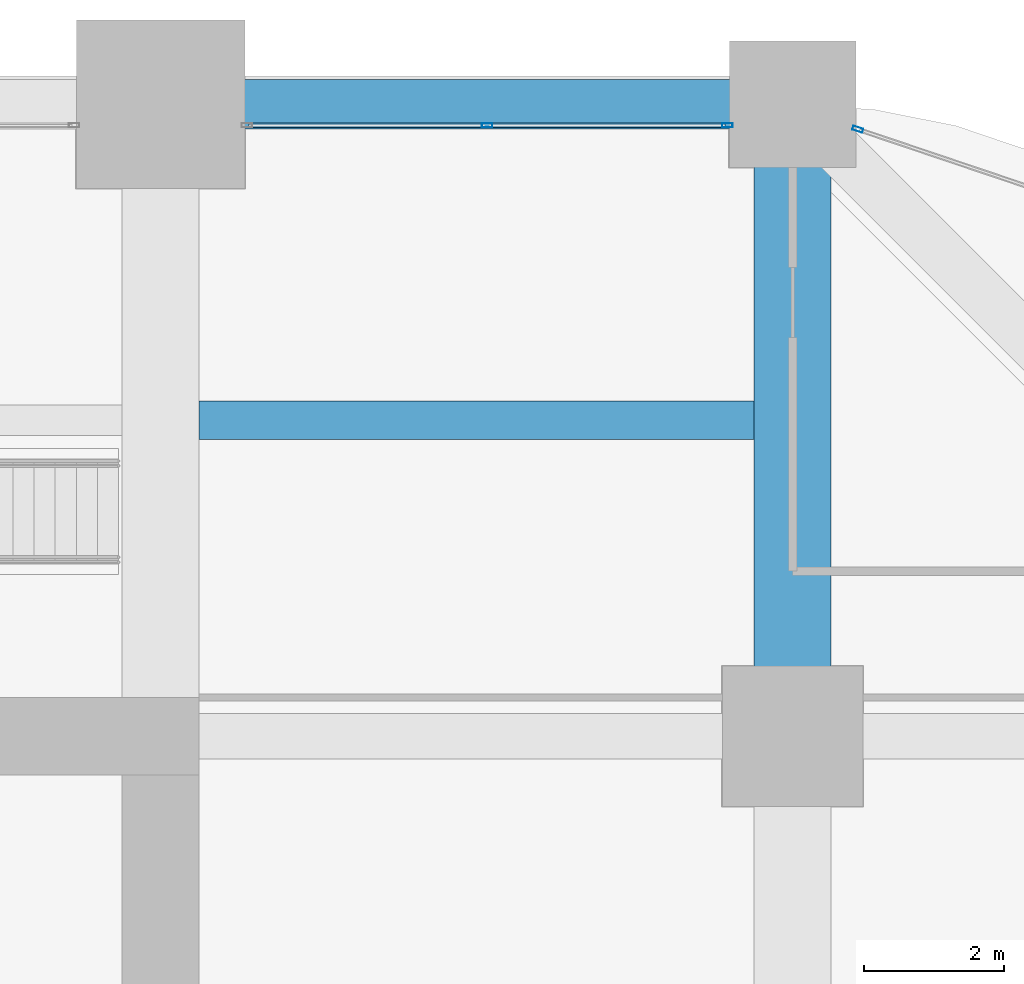
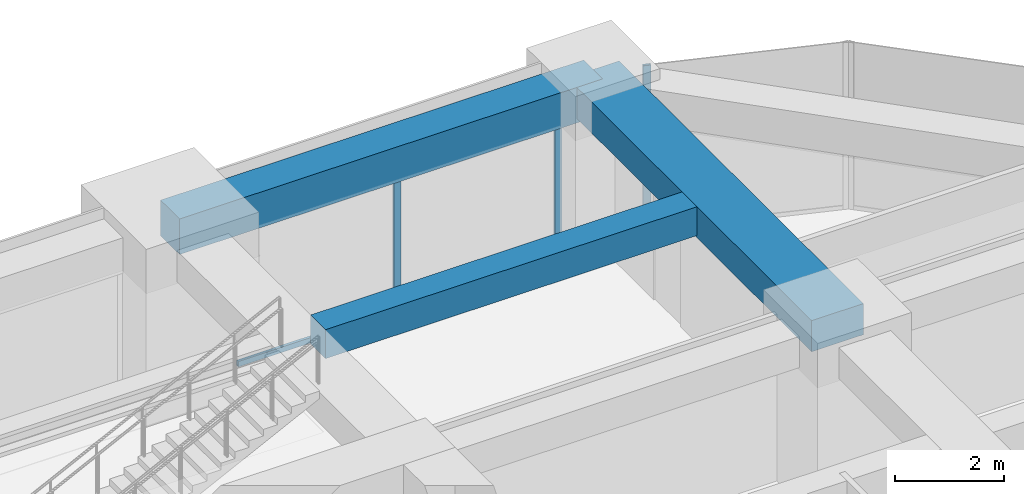
# One storey, part 33 of 41: 4 members, 3 beams, 2 elements without a shape of their own.
"""IFC4 building model written with IfcOpenShell, lengths in metres."""

from ifc_helpers import new_model, si_unit, direction, frame, origin, origin_2d, place, context, subcontext, project, spatial, rectangle, hollow_rectangle, extrude, material, material_profile, profile_set, type_object, element, aggregate, save


model = new_model("IFC4")

# Units and contexts
model_context = context("Model", 3, precision=1e-05, world=origin(), true_north=direction((0.0, 1.0)))
body_context = subcontext(model_context, "Body", "Model", "MODEL_VIEW")
ifc_project = project(units=[si_unit("LENGTHUNIT", "METRE"), si_unit("AREAUNIT", "SQUARE_METRE"), si_unit("VOLUMEUNIT", "CUBIC_METRE"), si_unit("PLANEANGLEUNIT", "RADIAN"), si_unit("MASSUNIT", "GRAM", prefix="KILO")], contexts=[model_context])

# Site, building, storey
site_placement = place(None, origin())
site = spatial("IfcSite", under=ifc_project, at=site_placement, CompositionType="ELEMENT")
building_placement = place(site_placement, origin())
building = spatial("IfcBuilding", under=site, at=building_placement, Name="Zorevar Civic Tower", CompositionType="ELEMENT")
storey_placement = place(building_placement, frame((0.0, 0.0, 97.0)))
storey = spatial("IfcBuildingStorey", under=building, at=storey_placement, Name="L23", CompositionType="ELEMENT", Elevation=97.0)

# Beams
ifc_material_1 = material(Name="Concrete C50/60", Category="concrete")
ifc_material_profile_1 = material_profile(ifc_material_1, rectangle(XDim=1.10009765625, YDim=0.699951171875, at=origin_2d()), Name="RC 1100x700")
ifc_profile_set_1 = profile_set([ifc_material_profile_1], Name="Concrete C50/60")
beam_type_1 = type_object("IfcBeamType", Name="Beam RC 1100x700", PredefinedType="BEAM", material=ifc_profile_set_1)
beam_1_placement = place(storey_placement, frame((54.0, 36.0, 3.39990234375), z_axis=(0.0, 1.0, 0.0), x_axis=(-1.0, 0.0, 0.0)))
element("IfcBeam", 1, at=beam_1_placement, inside=storey, type_object=beam_type_1, Name="Girder L24", PredefinedType="BEAM", context=body_context, shape_type="SweptSolid", body=[
    extrude(rectangle(XDim=1.10009765625, YDim=0.699951171875, at=origin_2d()), origin(), (0.0, 0.0, 1.0), 9.0),
])
ifc_material_2 = material(Name="Concrete C50/60", Category="concrete")
ifc_material_profile_2 = material_profile(ifc_material_2, rectangle(XDim=0.550048828125, YDim=0.64990234375, at=origin_2d()), Name="RC 550x650")
ifc_profile_set_2 = profile_set([ifc_material_profile_2], Name="Concrete C50/60")
beam_type_2 = type_object("IfcBeamType", Name="Beam RC 550x650", PredefinedType="BEAM", material=ifc_profile_set_2)
beam_2_placement = place(storey_placement, frame((45.550048828125, 40.5, 3.425048828125), z_axis=(1.0, 0.0, 0.0), x_axis=(0.0, 1.0, 0.0)))
element("IfcBeam", 2, at=beam_2_placement, inside=storey, type_object=beam_type_2, Name="Secondary beam L24", PredefinedType="BEAM", context=body_context, shape_type="SweptSolid", body=[
    extrude(rectangle(XDim=0.550048828125, YDim=0.64990234375, at=origin_2d()), origin(), (0.0, 0.0, 1.0), 7.89990234375),
])

# Curtain wall, members
ifc_material_3 = material(Name="Dark grey solar-control glass in black aluminium frame", Category="aluminium")
curtain_wall_type = type_object("IfcCurtainWallType", Name="Curtain wall CW3 mid zone", PredefinedType="NOTDEFINED", material=ifc_material_3)
curtain_wall_1_placement = place(storey_placement, origin())
curtain_wall_1 = element("IfcCurtainWall", 3, at=curtain_wall_1_placement, inside=storey, type_object=curtain_wall_type, Name="CW3 L23", PredefinedType="NOTDEFINED")
ifc_material_4 = material(Name="Aluminium, black anodised", Category="aluminium")
ifc_material_profile_3 = material_profile(ifc_material_4, hollow_rectangle(XDim=0.06005859375, YDim=0.14990234375, WallThickness=0.00390625, at=origin_2d()), Name="AL 150x60x4")
ifc_profile_set_3 = profile_set([ifc_material_profile_3], Name="Aluminium, black anodised")
member_type_1 = type_object("IfcMemberType", Name="CW3 mullion AL 150x60x4", PredefinedType="MULLION", material=ifc_profile_set_3)
member_1_placement = place(storey_placement, frame((49.64990234375, 44.699951171875, 0.06005859375), z_axis=(0.0, 0.0, 1.0), x_axis=(0.0, 1.0, 0.0)))
member_1 = element("IfcMember", 4, at=member_1_placement, type_object=member_type_1, Name="CW3 mullion 2", PredefinedType="MULLION", context=body_context, shape_type="SweptSolid", body=[
    extrude(hollow_rectangle(XDim=0.06005859375, YDim=0.14990234375, WallThickness=0.00390625, at=origin_2d()), origin(), (0.0, 0.0, 1.0), 2.889892578125),
])
member_2_placement = place(storey_placement, frame((53.070068359375, 44.699951171875, 0.0), z_axis=(0.0, 0.0, 1.0), x_axis=(0.0, 1.0, 0.0)))
member_2 = element("IfcMember", 5, at=member_2_placement, type_object=member_type_1, Name="CW3 mullion 3", PredefinedType="MULLION", context=body_context, shape_type="SweptSolid", body=[
    extrude(hollow_rectangle(XDim=0.06005859375, YDim=0.14990234375, WallThickness=0.00390625, at=origin_2d()), origin(), (0.0, 0.0, 1.0), 2.949951171875),
])

# Curtain wall, member
curtain_wall_2_placement = place(storey_placement, origin())
curtain_wall_2 = element("IfcCurtainWall", 6, at=curtain_wall_2_placement, inside=storey, type_object=curtain_wall_type, Name="CW3 L23", PredefinedType="NOTDEFINED")
member_3_placement = place(storey_placement, frame((54.928466796875, 44.643798828125, 0.0), z_axis=(0.0, 0.0, 1.0), x_axis=(-0.319412525043, -0.947615765406, 0.0)))
member_3 = element("IfcMember", 7, at=member_3_placement, type_object=member_type_1, Name="CW3 mullion 2", PredefinedType="MULLION", context=body_context, shape_type="SweptSolid", body=[
    extrude(hollow_rectangle(XDim=0.06005859375, YDim=0.14990234375, WallThickness=0.00390625, at=origin_2d()), origin(), (0.0, 0.0, 1.0), 3.75),
])
aggregate(curtain_wall_2, [member_3])

# Member
ifc_material_5 = material(Name="Aluminium, black anodised", Category="aluminium")
ifc_material_profile_4 = material_profile(ifc_material_5, hollow_rectangle(XDim=0.06005859375, YDim=0.1201171875, WallThickness=0.0029296875, at=origin_2d()), Name="AL 120x60x3")
ifc_profile_set_4 = profile_set([ifc_material_profile_4], Name="Aluminium, black anodised")
member_type_2 = type_object("IfcMemberType", Name="CW3 transom AL 120x60x3", PredefinedType="USERDEFINED", material=ifc_profile_set_4)
member_4_placement = place(storey_placement, frame((46.260009765625, 44.699951171875, 0.030029296875), z_axis=(1.0, 0.0, 0.0), x_axis=(0.0, 1.0, 0.0)))
member_4 = element("IfcMember", 8, at=member_4_placement, type_object=member_type_2, Name="CW3 sill transom", ObjectType="TRANSOM", PredefinedType="USERDEFINED", context=body_context, shape_type="SweptSolid", body=[
    extrude(hollow_rectangle(XDim=0.06005859375, YDim=0.1201171875, WallThickness=0.0029296875, at=origin_2d()), origin(), (0.0, 0.0, 1.0), 6.780029296875),
])

aggregate(curtain_wall_1, [member_1, member_2, member_4])

# Beam
ifc_material_6 = material(Name="Concrete C50/60", Category="concrete")
ifc_material_profile_5 = material_profile(ifc_material_6, rectangle(XDim=0.699951171875, YDim=0.800048828125, at=origin_2d()), Name="RC 700x800")
ifc_profile_set_5 = profile_set([ifc_material_profile_5], Name="Concrete C50/60")
beam_type_3 = type_object("IfcBeamType", Name="Edge beam RC 700x800", PredefinedType="SPANDREL", material=ifc_profile_set_5)
beam_3_placement = place(storey_placement, frame((45.0, 45.0, 3.35009765625), z_axis=(1.0, 0.0, 0.0), x_axis=(0.0, 1.0, 0.0)))
element("IfcBeam", 9, at=beam_3_placement, inside=storey, type_object=beam_type_3, Name="Edge beam L24", PredefinedType="SPANDREL", context=body_context, shape_type="SweptSolid", body=[
    extrude(rectangle(XDim=0.699951171875, YDim=0.800048828125, at=origin_2d()), origin(), (0.0, 0.0, 1.0), 9.0),
])

save(model, "model.ifc")
